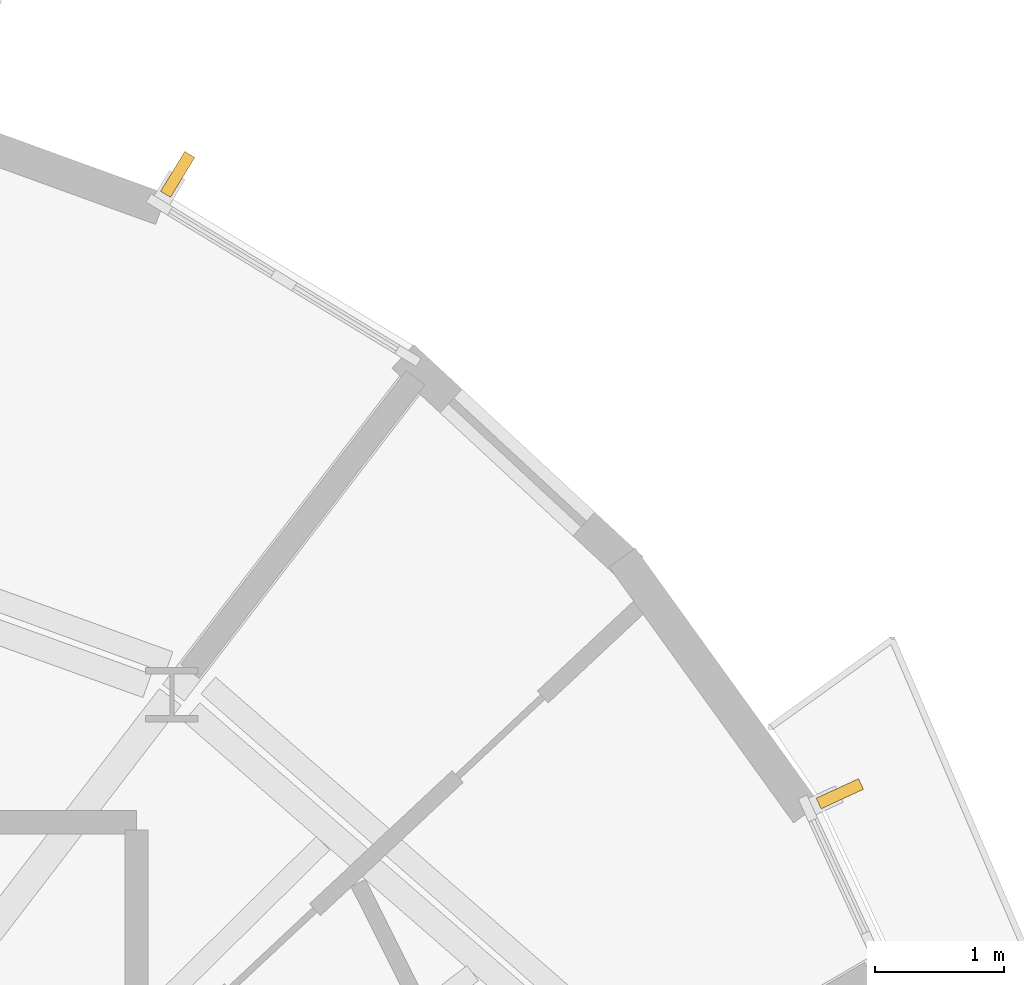
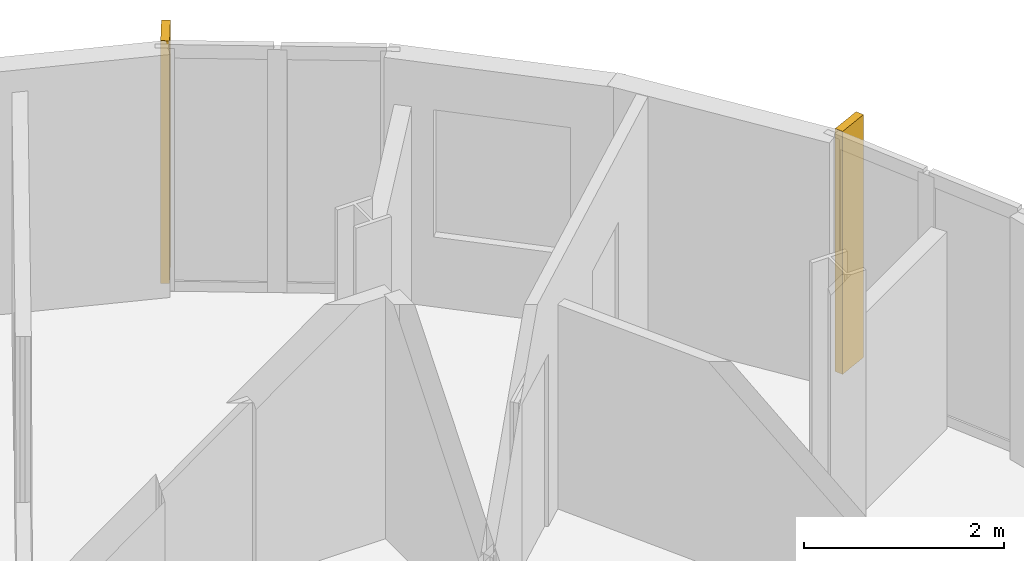
# One storey, part 11 of 11: 2 shading devices.
"""IFC4 building model written with IfcOpenShell, lengths in metres."""

import ifcopenshell
import ifcopenshell.guid

model = None  # the IFC model being written
_history = None  # IfcOwnerHistory: only IFC2X3 demands one
_inside = {}  # id of a spatial element -> (the spatial element, [elements in it])
_under = {}  # id of a project, library or spatial element -> (it, [spatial elements below it])
_declared = {}  # id of a project -> (the project, [libraries it declares])
_typed = {}  # id of a type object -> (the type object, [elements of that type])
_made_of = {}  # id of a material, layer set ... -> (it, [elements and type objects made of it])


def new_model(schema):
    """Start an empty IFC model of exactly this schema.

    Asked for "IFC4X3", IfcOpenShell would pick the latest addendum, in which some entities
    have other attributes; the version numbers below select the first issue.
    IFC2X3 requires an IfcOwnerHistory on every rooted entity: one is made here for all.
    """
    global model, _history
    if schema == "IFC4X3":
        model = ifcopenshell.file(schema_version=(4, 3, 0, 0))
    else:
        model = ifcopenshell.file(schema=schema)
    _inside.clear()
    _under.clear()
    _declared.clear()
    _typed.clear()
    _made_of.clear()
    _history = None
    if model.schema == "IFC2X3":
        org = make("IfcOrganization", Name="unknown")
        user = make(
            "IfcPersonAndOrganization",
            ThePerson=make("IfcPerson", FamilyName="unknown"),
            TheOrganization=org,
        )
        app = make(
            "IfcApplication",
            ApplicationDeveloper=org,
            Version="unknown",
            ApplicationFullName="unknown",
            ApplicationIdentifier="unknown",
        )
        _history = make(
            "IfcOwnerHistory",
            OwningUser=user,
            OwningApplication=app,
            ChangeAction="ADDED",
            CreationDate=0,
        )
    return model


def make(cls, **values):
    """One entity of the class cls with the attributes given. An attribute that is None is left unset."""
    return model.create_entity(
        cls, **{name: value for name, value in values.items() if value is not None}
    )


def rooted(cls, **values):
    """An entity with a GlobalId (a new one), such as an element, a storey or a relation."""
    return make(cls, GlobalId=ifcopenshell.guid.new(), OwnerHistory=_history, **values)


def si_unit(unit_type, name, prefix=None):
    """IfcSIUnit, for example si_unit("LENGTHUNIT", "METRE", prefix="MILLI")."""
    return make("IfcSIUnit", UnitType=unit_type, Prefix=prefix, Name=name)


def assignment(units):
    """IfcUnitAssignment: the units of a project."""
    return None if units is None else make("IfcUnitAssignment", Units=units)


def point(xyz):
    """IfcCartesianPoint."""
    return None if xyz is None else make("IfcCartesianPoint", Coordinates=xyz)


def direction(xyz):
    """IfcDirection."""
    return None if xyz is None else make("IfcDirection", DirectionRatios=xyz)


def frame(location, z_axis=None, x_axis=None):
    """IfcAxis2Placement3D, a coordinate frame: its origin and axes. An axis left out is left unset."""
    return make(
        "IfcAxis2Placement3D",
        Location=point(location),
        Axis=direction(z_axis),
        RefDirection=direction(x_axis),
    )


def frame_2d(location, x_axis=None):
    """IfcAxis2Placement2D, a coordinate frame in the plane: its origin and x axis."""
    return make(
        "IfcAxis2Placement2D", Location=point(location), RefDirection=direction(x_axis)
    )


def origin():
    """The frame at (0, 0, 0) with its axes left unset."""
    return frame((0.0, 0.0, 0.0))


def origin_2d():
    """The frame at (0, 0) in the plane with its x axis left unset."""
    return frame_2d((0.0, 0.0))


def place(relative_to, where):
    """IfcLocalPlacement: puts the frame where relative to a parent placement (None: the world)."""
    return make(
        "IfcLocalPlacement", PlacementRelTo=relative_to, RelativePlacement=where
    )


def context(
    kind, dimensions, precision=None, world=None, true_north=None, identifier=None
):
    """IfcGeometricRepresentationContext, for example the 3D "Model" context."""
    return make(
        "IfcGeometricRepresentationContext",
        ContextIdentifier=identifier,
        ContextType=kind,
        CoordinateSpaceDimension=dimensions,
        Precision=precision,
        WorldCoordinateSystem=world,
        TrueNorth=true_north,
    )


def subcontext(parent, identifier, kind, view, scale=None):
    """IfcGeometricRepresentationSubContext, for example "Body" below "Model"."""
    return make(
        "IfcGeometricRepresentationSubContext",
        ContextIdentifier=identifier,
        ContextType=kind,
        ParentContext=parent,
        TargetScale=scale,
        TargetView=view,
    )


def project(units=None, contexts=None):
    """IfcProject with its units and contexts."""
    return rooted(
        "IfcProject",
        Name="project",
        RepresentationContexts=contexts,
        UnitsInContext=assignment(units),
    )


def spatial(cls, under=None, at=None, **own):
    """A site, building, storey or space (cls), placed at a placement, below another one or the project."""
    s = rooted(cls, ObjectPlacement=at, **own)
    if under is not None:
        _under.setdefault(under.id(), (under, []))[1].append(s)
    return s


def profile(cls, at=None, kind="AREA", **sizes):
    """A parametric profile (cls). Its sizes go by their IFC names, for example OverallWidth=200.0."""
    return make(cls, ProfileType=kind, Position=at, **sizes)


def rectangle(**sizes):
    """IfcRectangleProfileDef."""
    return profile("IfcRectangleProfileDef", **sizes)


def extrude(swept, where, along, depth):
    """IfcExtrudedAreaSolid: the profile swept, set in the frame where, extruded along a direction by depth."""
    return make(
        "IfcExtrudedAreaSolid",
        SweptArea=swept,
        Position=where,
        ExtrudedDirection=direction(along),
        Depth=depth,
    )


def shape(context_of_items, identifier, shape_type, items):
    """IfcShapeRepresentation: the items that make up one representation, for example the "Body"."""
    return make(
        "IfcShapeRepresentation",
        ContextOfItems=context_of_items,
        RepresentationIdentifier=identifier,
        RepresentationType=shape_type,
        Items=items,
    )


def material(Name=None, Category=None):
    """IfcMaterial."""
    return make("IfcMaterial", Name=Name, Category=Category)


def layer(
    of_material, thickness, ventilated=None, Name=None, Category=None, Priority=None
):
    """IfcMaterialLayer: one layer of a wall or slab, of a material (None: an air gap)."""
    return make(
        "IfcMaterialLayer",
        Material=of_material,
        LayerThickness=thickness,
        IsVentilated=ventilated,
        Name=Name,
        Category=Category,
        Priority=Priority,
    )


def layer_set(layers, Name=None):
    """IfcMaterialLayerSet."""
    return make("IfcMaterialLayerSet", MaterialLayers=layers, LayerSetName=Name)


def made_of(thing, what):
    """Note that an element or type object is made of a material, layer set ...; save() writes the relation."""
    if what is not None:
        _made_of.setdefault(what.id(), (what, []))[1].append(thing)
    return thing


def type_object(cls, material=None, **own):
    """A type object (cls), such as IfcWallType, which elements share."""
    return made_of(rooted(cls, **own), material)


def element(
    cls,
    number,
    at=None,
    inside=None,
    cuts=None,
    type_object=None,
    material=None,
    context=None,
    identifier="Body",
    shape_type=None,
    held_by="IfcProductDefinitionShape",
    body=None,
    shapes=None,
    **own,
):
    """One element of the class cls, such as IfcWall. Its Tag is "e" and its number.

    at: its placement. inside: the storey or other place that contains it. cuts: it is an
    opening in that element (IfcRelVoidsElement). A single representation is given by context,
    identifier, shape_type and body (its items); several are given by shapes. held_by: the class
    of the entity that holds the representations. save() writes the other relations.
    """
    e = rooted(cls, Tag="e%d" % number, ObjectPlacement=at, **own)
    if body is not None:
        shapes = [shape(context, identifier, shape_type, body)]
    if shapes is not None:
        e.Representation = make(held_by, Representations=shapes)
    if inside is not None:
        _inside.setdefault(inside.id(), (inside, []))[1].append(e)
    if cuts is not None:
        rooted(
            "IfcRelVoidsElement", RelatingBuildingElement=cuts, RelatedOpeningElement=e
        )
    if type_object is not None:
        _typed.setdefault(type_object.id(), (type_object, []))[1].append(e)
    return made_of(e, material)


def aggregate(whole, parts):
    """IfcRelAggregates: a whole, such as a stair, and the parts it consists of."""
    return rooted("IfcRelAggregates", RelatingObject=whole, RelatedObjects=parts)


def save(model, path):
    """Write the relations noted so far, then the file.

    IfcRelAggregates (storeys below a building ...), IfcRelContainedInSpatialStructure (elements
    in a storey), IfcRelDefinesByType, IfcRelAssociatesMaterial and IfcRelDeclares: one each for
    every whole, place, type object, material and project.
    """
    for whole, parts in _under.values():
        aggregate(whole, parts)
    for where, things in _inside.values():
        rooted(
            "IfcRelContainedInSpatialStructure",
            RelatedElements=things,
            RelatingStructure=where,
        )
    for kind, things in _typed.values():
        rooted("IfcRelDefinesByType", RelatedObjects=things, RelatingType=kind)
    for what, things in _made_of.values():
        rooted("IfcRelAssociatesMaterial", RelatedObjects=things, RelatingMaterial=what)
    for by, libraries in _declared.values():
        rooted("IfcRelDeclares", RelatingContext=by, RelatedDefinitions=libraries)
    model.write(path)


model = new_model("IFC4")

# Units and contexts
model_context = context("Model", 3, precision=1e-05, world=origin(), true_north=direction((0.0, 1.0)))
body_context = subcontext(model_context, "Body", "Model", "MODEL_VIEW")
ifc_project = project(units=[si_unit("LENGTHUNIT", "METRE"), si_unit("AREAUNIT", "SQUARE_METRE"), si_unit("VOLUMEUNIT", "CUBIC_METRE"), si_unit("PLANEANGLEUNIT", "RADIAN"), si_unit("MASSUNIT", "GRAM", prefix="KILO")], contexts=[model_context])

# Site, building, storey
site_placement = place(None, origin())
site = spatial("IfcSite", under=ifc_project, at=site_placement, CompositionType="ELEMENT")
building_placement = place(site_placement, origin())
building = spatial("IfcBuilding", under=site, at=building_placement, Name="Veldorim Arch Residences", CompositionType="ELEMENT")
storey_placement = place(building_placement, frame((0.0, 0.0, 217.43994140625)))
storey = spatial("IfcBuildingStorey", under=building, at=storey_placement, Name="L65", CompositionType="ELEMENT", Elevation=217.43994140625)

# Shading devices
ifc_material = material(Name="Terracotta Ceramic", Category="masonry")
ifc_layer = layer(ifc_material, 0.090087890625, Name="Vertical Extruded Terracotta Baguette Sun-Shading Fin")
ifc_layer_set = layer_set([ifc_layer], Name="Terracotta Ceramic")
shading_device_type = type_object("IfcShadingDeviceType", Name="Vertical Extruded Terracotta Baguette Sun-Shading Fin", PredefinedType="USERDEFINED", material=ifc_layer_set)
for number, where, z_axis, x_axis, name in (
    (1, (39.378173828125, 37.5673828125, 0.0), (0.0, 0.0, 1.0), (0.854186693447, -0.519966434242, 0.0), "L65 vertical terracotta sun-shading fin 01"),
    (2, (44.49560546875, 32.78076171875, 0.0), (0.0, 0.0, 1.0), (0.418025632026, -0.908435232127, 0.0), "L65 vertical terracotta sun-shading fin 34"),
):
    element("IfcShadingDevice", number, at=place(storey_placement, frame(where, z_axis=z_axis, x_axis=x_axis)), inside=storey, type_object=shading_device_type, Name=name, ObjectType="FIN", PredefinedType="USERDEFINED", context=body_context, shape_type="SweptSolid", body=[
        extrude(rectangle(XDim=0.090087890625, YDim=0.360107421875, at=origin_2d()), origin(), (0.0, 0.0, 1.0), 2.9599609375),
    ])

save(model, "model.ifc")
